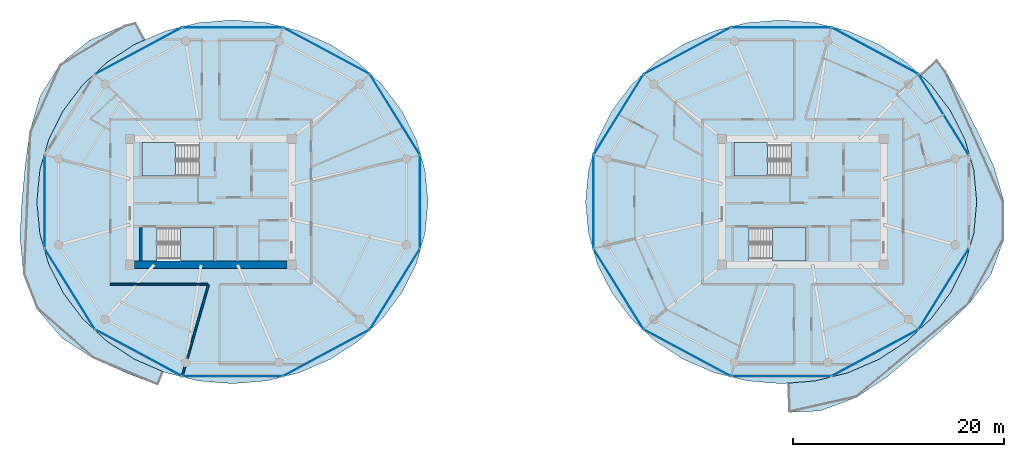
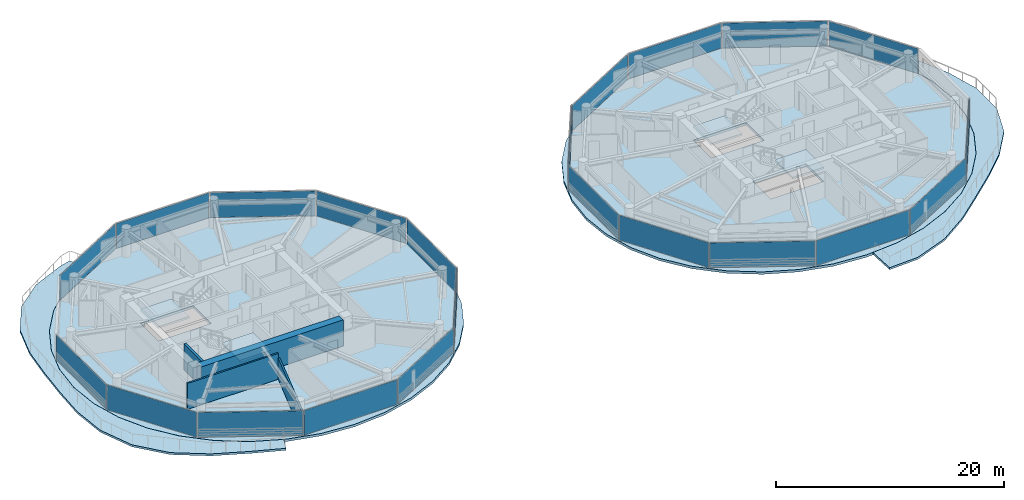
# One storey, part 12 of 22: 22 plates, 8 slabs, 4 walls, 26 elements without a shape of their own.
"""IFC4 building model written with IfcOpenShell, lengths in metres."""

from ifc_helpers import new_model, si_unit, direction, frame, frame_2d, origin, origin_2d, place, context, subcontext, project, spatial, polyline, rectangle, outline, extrude, source, transform, mapped, material, layer, layer_set, type_object, type_shapes, element, aggregate, save


model = new_model("IFC4")

# Units and contexts
model_context = context("Model", 3, precision=1e-05, world=origin(), true_north=direction((0.0, 1.0)))
body_context = subcontext(model_context, "Body", "Model", "MODEL_VIEW")
ifc_project = project(units=[si_unit("LENGTHUNIT", "METRE"), si_unit("AREAUNIT", "SQUARE_METRE"), si_unit("VOLUMEUNIT", "CUBIC_METRE"), si_unit("PLANEANGLEUNIT", "RADIAN"), si_unit("MASSUNIT", "GRAM", prefix="KILO")], contexts=[model_context])

# Site, building, storey
site_placement = place(None, origin())
site = spatial("IfcSite", under=ifc_project, at=site_placement, CompositionType="ELEMENT")
building_placement = place(site_placement, origin())
building = spatial("IfcBuilding", under=site, at=building_placement, Name="Norrkilde Senior Care Towers", CompositionType="ELEMENT")
storey_placement = place(building_placement, frame((0.0, 0.0, 96.25)))
storey = spatial("IfcBuildingStorey", under=building, at=storey_placement, Name="L29", CompositionType="ELEMENT", Elevation=96.25)

# Slabs
ifc_material_1 = material(Name="Concrete C50/60", Category="concrete")
ifc_layer_1 = layer(ifc_material_1, 0.215087890625)
ifc_layer_set_1 = layer_set([ifc_layer_1], Name="Concrete C50/60")
slab_type_1 = type_object("IfcSlabType", Name="Sinusoidal Balcony Ribbon Slab 215", PredefinedType="FLOOR", material=ifc_layer_set_1)
slab_1_placement = place(storey_placement, frame((0.0, 0.0, -0.215087890625)))
element("IfcSlab", 1, at=slab_1_placement, inside=storey, type_object=slab_type_1, Name="L29 Drum W Swirling Senior Balcony 1", PredefinedType="FLOOR", context=body_context, shape_type="SweptSolid", body=[
    extrude(outline(polyline([(-39.115478515625, -14.808837890625), (-42.11328125, -12.853271484375), (-44.431396484375, -10.127685546875), (-45.716552734375, -6.8154296875), (-46.046875, -3.343017578125), (-45.866943359375, 0.0), (-45.572265625, 3.2529296875), (-45.138427734375, 6.589111328125), (-44.163818359375, 9.96142578125), (-42.273193359375, 12.99755859375), (-39.479736328125, 15.27587890625), (-36.166748046875, 16.696533203125), (-35.082763671875, 16.972900390625), (-34.200927734375, 15.334228515625), (-35.202392578125, 14.89990234375), (-37.8447265625, 13.1796875), (-40.125732421875, 11.05908203125), (-41.975830078125, 8.6025390625), (-43.339111328125, 5.884521484375), (-44.173828125, 2.987548828125), (-44.455078125, 0.0), (-44.173828125, -2.987548828125), (-43.339111328125, -5.884521484375), (-41.975830078125, -8.6025390625), (-40.125732421875, -11.05908203125), (-37.8447265625, -13.1796875), (-35.202392578125, -14.89990234375), (-32.47021484375, -16.08447265625), (-32.986572265625, -17.358154296875), (-35.908447265625, -16.215576171875), (-39.115478515625, -14.808837890625)])), origin(), (0.0, 0.0, 1.0), 0.215087890625),
])
slab_2_placement = place(storey_placement, frame((0.0, 0.0, -0.215087890625)))
element("IfcSlab", 2, at=slab_2_placement, inside=storey, type_object=slab_type_1, Name="L29 Drum E Swirling Senior Balcony 1", PredefinedType="FLOOR", context=body_context, shape_type="SweptSolid", body=[
    extrude(outline(polyline([(43.7080078125, -9.67822265625), (41.222412109375, -12.04931640625), (38.6904296875, -14.26416015625), (36.055908203125, -16.490234375), (33.0673828125, -18.497314453125), (29.6279296875, -19.77783203125), (26.6845703125, -19.917236328125), (26.58251953125, -17.153564453125), (29.163330078125, -16.943603515625), (32.279052734375, -16.16748046875), (35.202392578125, -14.89990234375), (37.8447265625, -13.1796875), (40.125732421875, -11.05908203125), (41.975830078125, -8.6025390625), (43.339111328125, -5.884521484375), (44.173828125, -2.987548828125), (44.455078125, 0.0), (44.173828125, 2.987548828125), (43.339111328125, 5.884521484375), (41.975830078125, 8.6025390625), (40.125732421875, 11.05908203125), (39.09326171875, 12.01904296875), (40.6904296875, 13.479248046875), (41.540771484375, 12.336669921875), (43.17529296875, 9.347412109375), (44.66455078125, 6.403564453125), (46.072509765625, 3.34765625), (47.030517578125, 0.0), (47.016357421875, -3.52685546875), (45.814453125, -6.853759765625), (43.7080078125, -9.67822265625)])), origin(), (0.0, 0.0, 1.0), 0.215087890625),
])

# Stair, slab
ifc_material_2 = material(Name="Concrete C45/55", Category="concrete")
stair_type = type_object("IfcStairType", Name="Core Protected Dogleg Stair Typical 3050", PredefinedType="HALF_TURN_STAIR", material=ifc_material_2)
stair_1_placement = place(storey_placement, origin())
stair_1 = element("IfcStair", 3, at=stair_1_placement, inside=storey, type_object=stair_type, Name="L29 Protected Core Stair W1", PredefinedType="HALF_TURN_STAIR")
ifc_layer_2 = layer(ifc_material_2, 0.199951171875)
ifc_layer_set_2 = layer_set([ifc_layer_2], Name="Concrete C45/55")
slab_type_2 = type_object("IfcSlabType", Name="Stair Landing Slab 200", PredefinedType="LANDING", material=ifc_layer_set_2)
slab_3_placement = place(storey_placement, frame((0.0, 0.0, 1.324951171875)))
slab_3 = element("IfcSlab", 4, at=slab_3_placement, type_object=slab_type_2, Name="ST-W1 landing 1", PredefinedType="LANDING", context=body_context, shape_type="SweptSolid", body=[
    extrude(outline(polyline([(-31.340087890625, 5.590087890625), (-34.5, 5.590087890625), (-34.5, 2.449951171875), (-31.340087890625, 2.449951171875), (-31.340087890625, 5.590087890625)])), origin(), (0.0, 0.0, 1.0), 0.199951171875),
])
aggregate(stair_1, [slab_3])

stair_2_placement = place(storey_placement, origin())
stair_2 = element("IfcStair", 5, at=stair_2_placement, inside=storey, type_object=stair_type, Name="L29 Protected Core Stair W2", PredefinedType="HALF_TURN_STAIR")
slab_4_placement = place(storey_placement, frame((0.0, 0.0, 1.324951171875)))
slab_4 = element("IfcSlab", 6, at=slab_4_placement, type_object=slab_type_2, Name="ST-W2 landing 1", PredefinedType="LANDING", context=body_context, shape_type="SweptSolid", body=[
    extrude(outline(polyline([(-30.860107421875, -5.590087890625), (-27.699951171875, -5.590087890625), (-27.699951171875, -2.449951171875), (-30.860107421875, -2.449951171875), (-30.860107421875, -5.590087890625)])), origin(), (0.0, 0.0, 1.0), 0.199951171875),
])
aggregate(stair_2, [slab_4])

stair_3_placement = place(storey_placement, origin())
stair_3 = element("IfcStair", 7, at=stair_3_placement, inside=storey, type_object=stair_type, Name="L29 Protected Core Stair E1", PredefinedType="HALF_TURN_STAIR")
slab_5_placement = place(storey_placement, frame((0.0, 0.0, 1.324951171875)))
slab_5 = element("IfcSlab", 8, at=slab_5_placement, type_object=slab_type_2, Name="ST-E1 landing 1", PredefinedType="LANDING", context=body_context, shape_type="SweptSolid", body=[
    extrude(outline(polyline([(24.659912109375, 5.590087890625), (21.5, 5.590087890625), (21.5, 2.449951171875), (24.659912109375, 2.449951171875), (24.659912109375, 5.590087890625)])), origin(), (0.0, 0.0, 1.0), 0.199951171875),
])
aggregate(stair_3, [slab_5])

stair_4_placement = place(storey_placement, origin())
stair_4 = element("IfcStair", 9, at=stair_4_placement, inside=storey, type_object=stair_type, Name="L29 Protected Core Stair E2", PredefinedType="HALF_TURN_STAIR")
slab_6_placement = place(storey_placement, frame((0.0, 0.0, 1.324951171875)))
slab_6 = element("IfcSlab", 10, at=slab_6_placement, type_object=slab_type_2, Name="ST-E2 landing 1", PredefinedType="LANDING", context=body_context, shape_type="SweptSolid", body=[
    extrude(outline(polyline([(25.139892578125, -5.590087890625), (28.300048828125, -5.590087890625), (28.300048828125, -2.449951171875), (25.139892578125, -2.449951171875), (25.139892578125, -5.590087890625)])), origin(), (0.0, 0.0, 1.0), 0.199951171875),
])
aggregate(stair_4, [slab_6])

# Slabs
ifc_layer_3 = layer(ifc_material_1, 0.260009765625)
ifc_layer_set_3 = layer_set([ifc_layer_3], Name="Concrete C50/60")
slab_type_3 = type_object("IfcSlabType", Name="Tower Care Floor Slab 260", PredefinedType="FLOOR", material=ifc_layer_set_3)
slab_7_placement = place(storey_placement, frame((0.0, 0.0, -0.260009765625)))
element("IfcSlab", 11, at=slab_7_placement, inside=storey, type_object=slab_type_3, Name="L29 Drum W Structural Floor Slab", PredefinedType="FLOOR", context=body_context, shape_type="SweptSolid", body=[
    extrude(outline(polyline([(-8.565673828125, -5.8828125), (-9.928466796875, -8.60009765625), (-11.778076171875, -11.055908203125), (-14.058349609375, -13.176025390625), (-16.699951171875, -14.895751953125), (-19.62255859375, -16.16259765625), (-22.737548828125, -16.938720703125), (-25.949951171875, -17.199951171875), (-29.16259765625, -16.938720703125), (-32.27734375, -16.16259765625), (-35.199951171875, -14.895751953125), (-37.841552734375, -13.176025390625), (-40.121826171875, -11.055908203125), (-41.971435546875, -8.60009765625), (-43.334228515625, -5.8828125), (-44.1689453125, -2.98681640625), (-44.449951171875, 0.0), (-44.1689453125, 2.98681640625), (-43.334228515625, 5.8828125), (-41.971435546875, 8.60009765625), (-40.121826171875, 11.055908203125), (-37.841552734375, 13.176025390625), (-35.199951171875, 14.895751953125), (-32.27734375, 16.16259765625), (-29.16259765625, 16.938720703125), (-25.949951171875, 17.199951171875), (-22.737548828125, 16.938720703125), (-19.62255859375, 16.16259765625), (-16.699951171875, 14.895751953125), (-14.058349609375, 13.176025390625), (-11.778076171875, 11.055908203125), (-9.928466796875, 8.60009765625), (-8.565673828125, 5.8828125), (-7.73095703125, 2.98681640625), (-7.449951171875, 0.0), (-7.73095703125, -2.98681640625), (-8.565673828125, -5.8828125)]), holes=[polyline([(-34.48193359375, 2.468017578125), (-29.117919921875, 2.468017578125), (-29.117919921875, 5.590087890625), (-34.48193359375, 5.590087890625), (-34.48193359375, 2.468017578125)]), polyline([(-27.718017578125, -5.590087890625), (-27.718017578125, -2.468017578125), (-33.08203125, -2.468017578125), (-33.08203125, -5.590087890625), (-27.718017578125, -5.590087890625)])]), origin(), (0.0, 0.0, 1.0), 0.260009765625),
])
slab_8_placement = place(storey_placement, frame((0.0, 0.0, -0.260009765625)))
element("IfcSlab", 12, at=slab_8_placement, inside=storey, type_object=slab_type_3, Name="L29 Drum E Structural Floor Slab", PredefinedType="FLOOR", context=body_context, shape_type="SweptSolid", body=[
    extrude(outline(polyline([(43.334228515625, -5.8828125), (41.971435546875, -8.60009765625), (40.121826171875, -11.055908203125), (37.841552734375, -13.176025390625), (35.199951171875, -14.895751953125), (32.27734375, -16.16259765625), (29.16259765625, -16.938720703125), (25.949951171875, -17.199951171875), (22.737548828125, -16.938720703125), (19.62255859375, -16.16259765625), (16.699951171875, -14.895751953125), (14.058349609375, -13.176025390625), (11.778076171875, -11.055908203125), (9.928466796875, -8.60009765625), (8.565673828125, -5.8828125), (7.73095703125, -2.98681640625), (7.449951171875, 0.0), (7.73095703125, 2.98681640625), (8.565673828125, 5.8828125), (9.928466796875, 8.60009765625), (11.778076171875, 11.055908203125), (14.058349609375, 13.176025390625), (16.699951171875, 14.895751953125), (19.62255859375, 16.16259765625), (22.737548828125, 16.938720703125), (25.949951171875, 17.199951171875), (29.16259765625, 16.938720703125), (32.27734375, 16.16259765625), (35.199951171875, 14.895751953125), (37.841552734375, 13.176025390625), (40.121826171875, 11.055908203125), (41.971435546875, 8.60009765625), (43.334228515625, 5.8828125), (44.1689453125, 2.98681640625), (44.449951171875, 0.0), (44.1689453125, -2.98681640625), (43.334228515625, -5.8828125)]), holes=[polyline([(21.51806640625, 2.468017578125), (26.882080078125, 2.468017578125), (26.882080078125, 5.590087890625), (21.51806640625, 5.590087890625), (21.51806640625, 2.468017578125)]), polyline([(28.281982421875, -5.590087890625), (28.281982421875, -2.468017578125), (22.91796875, -2.468017578125), (22.91796875, -5.590087890625), (28.281982421875, -5.590087890625)])]), origin(), (0.0, 0.0, 1.0), 0.260009765625),
])

# Curtain wall, plate
ifc_material_3 = material(Name="Triple Low-E Insulated Glazing", Category="glass")
ifc_layer_4 = layer(ifc_material_3, 0.195068359375)
ifc_layer_set_4 = layer_set([ifc_layer_4], Name="Triple Low-E Insulated Glazing")
curtain_wall_type = type_object("IfcCurtainWallType", Name="CW3 Zone 2 Assisted Living Curtain Wall", PredefinedType="NOTDEFINED", material=ifc_layer_set_4)
curtain_wall_1_placement = place(storey_placement, origin())
curtain_wall_1 = element("IfcCurtainWall", 13, at=curtain_wall_1_placement, inside=storey, type_object=curtain_wall_type, Name="L29 Drum W Curtain Wall 00", PredefinedType="NOTDEFINED")
ifc_layer_5 = layer(ifc_material_3, 0.035888671875)
ifc_layer_set_5 = layer_set([ifc_layer_5], Name="Triple Low-E Insulated Glazing")
plate_type = type_object("IfcPlateType", Name="Triple Low-E Vision Curtain Panel 36", PredefinedType="CURTAIN_PANEL", material=ifc_layer_set_5)
shared_shape_1 = source(origin(), body_context, "Body", "SweptSolid", [
    extrude(rectangle(XDim=8.88427734375, YDim=0.035888671875, at=origin_2d()), origin(), (0.0, 0.0, 1.0), 2.669921875),
])
plate_1_placement = place(storey_placement, frame((-10.574951171875, 8.2490234375, 0.06005859375), z_axis=(0.0, 0.0, 1.0), x_axis=(0.527733228002, -0.849410171862, 0.0)))
plate_1 = element("IfcPlate", 14, at=plate_1_placement, type_object=plate_type, Name="CW-3 panel 1.1", PredefinedType="CURTAIN_PANEL", context=body_context, shape_type="MappedRepresentation", body=[
    mapped(shared_shape_1, transform((0.0, 0.0, 0.0), x_axis=(1.0, 0.0, 0.0), y_axis=(0.0, 1.0, 0.0), z_axis=(0.0, 0.0, 1.0), scale=1.0)),
])
aggregate(curtain_wall_1, [plate_1])

curtain_wall_2_placement = place(storey_placement, origin())
curtain_wall_2 = element("IfcCurtainWall", 15, at=curtain_wall_2_placement, inside=storey, type_object=curtain_wall_type, Name="L29 Drum W Curtain Wall 06", PredefinedType="NOTDEFINED")
plate_2_placement = place(storey_placement, frame((-41.3251953125, -8.2490234375, 0.06005859375), z_axis=(0.0, 0.0, 1.0), x_axis=(-0.527733228002, 0.849410171862, 0.0)))
plate_2 = element("IfcPlate", 16, at=plate_2_placement, type_object=plate_type, Name="CW-3 panel 1.1", PredefinedType="CURTAIN_PANEL", context=body_context, shape_type="MappedRepresentation", body=[
    mapped(shared_shape_1, transform((0.0, 0.0, 0.0), x_axis=(1.0, 0.0, 0.0), y_axis=(0.0, 1.0, 0.0), z_axis=(0.0, 0.0, 1.0), scale=1.0)),
])
aggregate(curtain_wall_2, [plate_2])

curtain_wall_3_placement = place(storey_placement, origin())
curtain_wall_3 = element("IfcCurtainWall", 17, at=curtain_wall_3_placement, inside=storey, type_object=curtain_wall_type, Name="L29 Drum W Curtain Wall 10", PredefinedType="NOTDEFINED")
plate_3_placement = place(storey_placement, frame((-10.574951171875, -8.2490234375, 0.06005859375), z_axis=(0.0, 0.0, 1.0), x_axis=(-0.527733228002, -0.849410171862, 0.0)))
plate_3 = element("IfcPlate", 18, at=plate_3_placement, type_object=plate_type, Name="CW-3 panel 1.1", PredefinedType="CURTAIN_PANEL", context=body_context, shape_type="MappedRepresentation", body=[
    mapped(shared_shape_1, transform((0.0, 0.0, 0.0), x_axis=(1.0, 0.0, 0.0), y_axis=(0.0, 1.0, 0.0), z_axis=(0.0, 0.0, 1.0), scale=1.0)),
])
aggregate(curtain_wall_3, [plate_3])

curtain_wall_4_placement = place(storey_placement, origin())
curtain_wall_4 = element("IfcCurtainWall", 19, at=curtain_wall_4_placement, inside=storey, type_object=curtain_wall_type, Name="L29 Drum E Curtain Wall 00", PredefinedType="NOTDEFINED")
plate_4_placement = place(storey_placement, frame((41.3251953125, 8.2490234375, 0.06005859375), z_axis=(0.0, 0.0, 1.0), x_axis=(0.527733228002, -0.849410171862, 0.0)))
plate_4 = element("IfcPlate", 20, at=plate_4_placement, type_object=plate_type, Name="CW-3 panel 1.1", PredefinedType="CURTAIN_PANEL", context=body_context, shape_type="MappedRepresentation", body=[
    mapped(shared_shape_1, transform((0.0, 0.0, 0.0), x_axis=(1.0, 0.0, 0.0), y_axis=(0.0, 1.0, 0.0), z_axis=(0.0, 0.0, 1.0), scale=1.0)),
])
aggregate(curtain_wall_4, [plate_4])

curtain_wall_5_placement = place(storey_placement, origin())
curtain_wall_5 = element("IfcCurtainWall", 21, at=curtain_wall_5_placement, inside=storey, type_object=curtain_wall_type, Name="L29 Drum E Curtain Wall 04", PredefinedType="NOTDEFINED")
plate_5_placement = place(storey_placement, frame((10.574951171875, 8.2490234375, 0.06005859375), z_axis=(0.0, 0.0, 1.0), x_axis=(0.527733228002, 0.849410171862, 0.0)))
plate_5 = element("IfcPlate", 22, at=plate_5_placement, type_object=plate_type, Name="CW-3 panel 1.1", PredefinedType="CURTAIN_PANEL", context=body_context, shape_type="MappedRepresentation", body=[
    mapped(shared_shape_1, transform((0.0, 0.0, 0.0), x_axis=(1.0, 0.0, 0.0), y_axis=(0.0, 1.0, 0.0), z_axis=(0.0, 0.0, 1.0), scale=1.0)),
])
aggregate(curtain_wall_5, [plate_5])

curtain_wall_6_placement = place(storey_placement, origin())
curtain_wall_6 = element("IfcCurtainWall", 23, at=curtain_wall_6_placement, inside=storey, type_object=curtain_wall_type, Name="L29 Drum E Curtain Wall 06", PredefinedType="NOTDEFINED")
plate_6_placement = place(storey_placement, frame((10.574951171875, -8.2490234375, 0.06005859375), z_axis=(0.0, 0.0, 1.0), x_axis=(-0.527733228002, 0.849410171862, 0.0)))
plate_6 = element("IfcPlate", 24, at=plate_6_placement, type_object=plate_type, Name="CW-3 panel 1.1", PredefinedType="CURTAIN_PANEL", context=body_context, shape_type="MappedRepresentation", body=[
    mapped(shared_shape_1, transform((0.0, 0.0, 0.0), x_axis=(1.0, 0.0, 0.0), y_axis=(0.0, 1.0, 0.0), z_axis=(0.0, 0.0, 1.0), scale=1.0)),
])
aggregate(curtain_wall_6, [plate_6])

curtain_wall_7_placement = place(storey_placement, origin())
curtain_wall_7 = element("IfcCurtainWall", 25, at=curtain_wall_7_placement, inside=storey, type_object=curtain_wall_type, Name="L29 Drum E Curtain Wall 10", PredefinedType="NOTDEFINED")
plate_7_placement = place(storey_placement, frame((41.3251953125, -8.2490234375, 0.06005859375), z_axis=(0.0, 0.0, 1.0), x_axis=(-0.527733228002, -0.849410171862, 0.0)))
plate_7 = element("IfcPlate", 26, at=plate_7_placement, type_object=plate_type, Name="CW-3 panel 1.1", PredefinedType="CURTAIN_PANEL", context=body_context, shape_type="MappedRepresentation", body=[
    mapped(shared_shape_1, transform((0.0, 0.0, 0.0), x_axis=(1.0, 0.0, 0.0), y_axis=(0.0, 1.0, 0.0), z_axis=(0.0, 0.0, 1.0), scale=1.0)),
])
aggregate(curtain_wall_7, [plate_7])

curtain_wall_8_placement = place(storey_placement, origin())
curtain_wall_8 = element("IfcCurtainWall", 27, at=curtain_wall_8_placement, inside=storey, type_object=curtain_wall_type, Name="L29 Drum W Curtain Wall 01", PredefinedType="NOTDEFINED")
shared_shape_2 = source(origin(), body_context, "Body", "SweptSolid", [
    extrude(rectangle(XDim=9.220458984375, YDim=0.035888671875, at=origin_2d()), origin(), (0.0, 0.0, 1.0), 2.669921875),
])
plate_8_placement = place(storey_placement, frame((-17.0732421875, 14.28759765625, 0.06005859375), z_axis=(0.0, 0.0, 1.0), x_axis=(0.881186184668, -0.472769402511, 0.0)))
plate_8 = element("IfcPlate", 28, at=plate_8_placement, type_object=plate_type, Name="CW-3 panel 1.1", PredefinedType="CURTAIN_PANEL", context=body_context, shape_type="MappedRepresentation", body=[
    mapped(shared_shape_2, transform((0.0, 0.0, 0.0), x_axis=(1.0, 0.0, 0.0), y_axis=(0.0, 1.0, 0.0), z_axis=(0.0, 0.0, 1.0), scale=1.0)),
])
aggregate(curtain_wall_8, [plate_8])

curtain_wall_9_placement = place(storey_placement, origin())
curtain_wall_9 = element("IfcCurtainWall", 29, at=curtain_wall_9_placement, inside=storey, type_object=curtain_wall_type, Name="L29 Drum W Curtain Wall 03", PredefinedType="NOTDEFINED")
plate_9_placement = place(storey_placement, frame((-34.826904296875, 14.28759765625, 0.06005859375), z_axis=(0.0, 0.0, 1.0), x_axis=(0.881186184668, 0.472769402511, 0.0)))
plate_9 = element("IfcPlate", 30, at=plate_9_placement, type_object=plate_type, Name="CW-3 panel 1.1", PredefinedType="CURTAIN_PANEL", context=body_context, shape_type="MappedRepresentation", body=[
    mapped(shared_shape_2, transform((0.0, 0.0, 0.0), x_axis=(1.0, 0.0, 0.0), y_axis=(0.0, 1.0, 0.0), z_axis=(0.0, 0.0, 1.0), scale=1.0)),
])
aggregate(curtain_wall_9, [plate_9])

curtain_wall_10_placement = place(storey_placement, origin())
curtain_wall_10 = element("IfcCurtainWall", 31, at=curtain_wall_10_placement, inside=storey, type_object=curtain_wall_type, Name="L29 Drum W Curtain Wall 07", PredefinedType="NOTDEFINED")
plate_10_placement = place(storey_placement, frame((-34.826904296875, -14.28759765625, 0.06005859375), z_axis=(0.0, 0.0, 1.0), x_axis=(-0.881186184668, 0.472769402511, 0.0)))
plate_10 = element("IfcPlate", 32, at=plate_10_placement, type_object=plate_type, Name="CW-3 panel 1.1", PredefinedType="CURTAIN_PANEL", context=body_context, shape_type="MappedRepresentation", body=[
    mapped(shared_shape_2, transform((0.0, 0.0, 0.0), x_axis=(1.0, 0.0, 0.0), y_axis=(0.0, 1.0, 0.0), z_axis=(0.0, 0.0, 1.0), scale=1.0)),
])
aggregate(curtain_wall_10, [plate_10])

curtain_wall_11_placement = place(storey_placement, origin())
curtain_wall_11 = element("IfcCurtainWall", 33, at=curtain_wall_11_placement, inside=storey, type_object=curtain_wall_type, Name="L29 Drum W Curtain Wall 09", PredefinedType="NOTDEFINED")
plate_11_placement = place(storey_placement, frame((-17.0732421875, -14.28759765625, 0.06005859375), z_axis=(0.0, 0.0, 1.0), x_axis=(-0.881186184668, -0.472769402511, 0.0)))
plate_11 = element("IfcPlate", 34, at=plate_11_placement, type_object=plate_type, Name="CW-3 panel 1.1", PredefinedType="CURTAIN_PANEL", context=body_context, shape_type="MappedRepresentation", body=[
    mapped(shared_shape_2, transform((0.0, 0.0, 0.0), x_axis=(1.0, 0.0, 0.0), y_axis=(0.0, 1.0, 0.0), z_axis=(0.0, 0.0, 1.0), scale=1.0)),
])
aggregate(curtain_wall_11, [plate_11])

curtain_wall_12_placement = place(storey_placement, origin())
curtain_wall_12 = element("IfcCurtainWall", 35, at=curtain_wall_12_placement, inside=storey, type_object=curtain_wall_type, Name="L29 Drum E Curtain Wall 01", PredefinedType="NOTDEFINED")
plate_12_placement = place(storey_placement, frame((34.826904296875, 14.28759765625, 0.06005859375), z_axis=(0.0, 0.0, 1.0), x_axis=(0.881186184668, -0.472769402511, 0.0)))
plate_12 = element("IfcPlate", 36, at=plate_12_placement, type_object=plate_type, Name="CW-3 panel 1.1", PredefinedType="CURTAIN_PANEL", context=body_context, shape_type="MappedRepresentation", body=[
    mapped(shared_shape_2, transform((0.0, 0.0, 0.0), x_axis=(1.0, 0.0, 0.0), y_axis=(0.0, 1.0, 0.0), z_axis=(0.0, 0.0, 1.0), scale=1.0)),
])
aggregate(curtain_wall_12, [plate_12])

curtain_wall_13_placement = place(storey_placement, origin())
curtain_wall_13 = element("IfcCurtainWall", 37, at=curtain_wall_13_placement, inside=storey, type_object=curtain_wall_type, Name="L29 Drum E Curtain Wall 03", PredefinedType="NOTDEFINED")
plate_13_placement = place(storey_placement, frame((17.0732421875, 14.28759765625, 0.06005859375), z_axis=(0.0, 0.0, 1.0), x_axis=(0.881186184668, 0.472769402511, 0.0)))
plate_13 = element("IfcPlate", 38, at=plate_13_placement, type_object=plate_type, Name="CW-3 panel 1.1", PredefinedType="CURTAIN_PANEL", context=body_context, shape_type="MappedRepresentation", body=[
    mapped(shared_shape_2, transform((0.0, 0.0, 0.0), x_axis=(1.0, 0.0, 0.0), y_axis=(0.0, 1.0, 0.0), z_axis=(0.0, 0.0, 1.0), scale=1.0)),
])
aggregate(curtain_wall_13, [plate_13])

curtain_wall_14_placement = place(storey_placement, origin())
curtain_wall_14 = element("IfcCurtainWall", 39, at=curtain_wall_14_placement, inside=storey, type_object=curtain_wall_type, Name="L29 Drum E Curtain Wall 07", PredefinedType="NOTDEFINED")
plate_14_placement = place(storey_placement, frame((17.0732421875, -14.28759765625, 0.06005859375), z_axis=(0.0, 0.0, 1.0), x_axis=(-0.881186184668, 0.472769402511, 0.0)))
plate_14 = element("IfcPlate", 40, at=plate_14_placement, type_object=plate_type, Name="CW-3 panel 1.1", PredefinedType="CURTAIN_PANEL", context=body_context, shape_type="MappedRepresentation", body=[
    mapped(shared_shape_2, transform((0.0, 0.0, 0.0), x_axis=(1.0, 0.0, 0.0), y_axis=(0.0, 1.0, 0.0), z_axis=(0.0, 0.0, 1.0), scale=1.0)),
])
aggregate(curtain_wall_14, [plate_14])

curtain_wall_15_placement = place(storey_placement, origin())
curtain_wall_15 = element("IfcCurtainWall", 41, at=curtain_wall_15_placement, inside=storey, type_object=curtain_wall_type, Name="L29 Drum E Curtain Wall 09", PredefinedType="NOTDEFINED")
plate_15_placement = place(storey_placement, frame((34.826904296875, -14.28759765625, 0.06005859375), z_axis=(0.0, 0.0, 1.0), x_axis=(-0.881186184668, -0.472769402511, 0.0)))
plate_15 = element("IfcPlate", 42, at=plate_15_placement, type_object=plate_type, Name="CW-3 panel 1.1", PredefinedType="CURTAIN_PANEL", context=body_context, shape_type="MappedRepresentation", body=[
    mapped(shared_shape_2, transform((0.0, 0.0, 0.0), x_axis=(1.0, 0.0, 0.0), y_axis=(0.0, 1.0, 0.0), z_axis=(0.0, 0.0, 1.0), scale=1.0)),
])
aggregate(curtain_wall_15, [plate_15])

curtain_wall_16_placement = place(storey_placement, origin())
curtain_wall_16 = element("IfcCurtainWall", 43, at=curtain_wall_16_placement, inside=storey, type_object=curtain_wall_type, Name="L29 Drum W Curtain Wall 02", PredefinedType="NOTDEFINED")
shared_shape_3 = source(origin(), body_context, "Body", "SweptSolid", [
    extrude(rectangle(XDim=9.38427734375, YDim=0.035888671875, at=origin_2d()), origin(), (0.0, 0.0, 1.0), 2.669921875),
])
plate_16_placement = place(storey_placement, frame((-25.949951171875, 16.498046875, 0.06005859375), z_axis=(0.0, 0.0, 1.0), x_axis=(1.0, 0.0, 0.0)))
plate_16 = element("IfcPlate", 44, at=plate_16_placement, type_object=plate_type, Name="CW-3 panel 1.1", PredefinedType="CURTAIN_PANEL", context=body_context, shape_type="MappedRepresentation", body=[
    mapped(shared_shape_3, transform((0.0, 0.0, 0.0), x_axis=(1.0, 0.0, 0.0), y_axis=(0.0, 1.0, 0.0), z_axis=(0.0, 0.0, 1.0), scale=1.0)),
])
aggregate(curtain_wall_16, [plate_16])

curtain_wall_17_placement = place(storey_placement, origin())
curtain_wall_17 = element("IfcCurtainWall", 45, at=curtain_wall_17_placement, inside=storey, type_object=curtain_wall_type, Name="L29 Drum W Curtain Wall 08", PredefinedType="NOTDEFINED")
plate_17_placement = place(storey_placement, frame((-25.949951171875, -16.498046875, 0.06005859375), z_axis=(0.0, 0.0, 1.0), x_axis=(-1.0, 0.0, 0.0)))
plate_17 = element("IfcPlate", 46, at=plate_17_placement, type_object=plate_type, Name="CW-3 panel 1.1", PredefinedType="CURTAIN_PANEL", context=body_context, shape_type="MappedRepresentation", body=[
    mapped(shared_shape_3, transform((0.0, 0.0, 0.0), x_axis=(1.0, 0.0, 0.0), y_axis=(0.0, 1.0, 0.0), z_axis=(0.0, 0.0, 1.0), scale=1.0)),
])
aggregate(curtain_wall_17, [plate_17])

curtain_wall_18_placement = place(storey_placement, origin())
curtain_wall_18 = element("IfcCurtainWall", 47, at=curtain_wall_18_placement, inside=storey, type_object=curtain_wall_type, Name="L29 Drum E Curtain Wall 02", PredefinedType="NOTDEFINED")
plate_18_placement = place(storey_placement, frame((25.949951171875, 16.498046875, 0.06005859375), z_axis=(0.0, 0.0, 1.0), x_axis=(1.0, 0.0, 0.0)))
plate_18 = element("IfcPlate", 48, at=plate_18_placement, type_object=plate_type, Name="CW-3 panel 1.1", PredefinedType="CURTAIN_PANEL", context=body_context, shape_type="MappedRepresentation", body=[
    mapped(shared_shape_3, transform((0.0, 0.0, 0.0), x_axis=(1.0, 0.0, 0.0), y_axis=(0.0, 1.0, 0.0), z_axis=(0.0, 0.0, 1.0), scale=1.0)),
])
aggregate(curtain_wall_18, [plate_18])

curtain_wall_19_placement = place(storey_placement, origin())
curtain_wall_19 = element("IfcCurtainWall", 49, at=curtain_wall_19_placement, inside=storey, type_object=curtain_wall_type, Name="L29 Drum E Curtain Wall 08", PredefinedType="NOTDEFINED")
plate_19_placement = place(storey_placement, frame((25.949951171875, -16.498046875, 0.06005859375), z_axis=(0.0, 0.0, 1.0), x_axis=(-1.0, 0.0, 0.0)))
plate_19 = element("IfcPlate", 50, at=plate_19_placement, type_object=plate_type, Name="CW-3 panel 1.1", PredefinedType="CURTAIN_PANEL", context=body_context, shape_type="MappedRepresentation", body=[
    mapped(shared_shape_3, transform((0.0, 0.0, 0.0), x_axis=(1.0, 0.0, 0.0), y_axis=(0.0, 1.0, 0.0), z_axis=(0.0, 0.0, 1.0), scale=1.0)),
])
aggregate(curtain_wall_19, [plate_19])

curtain_wall_20_placement = place(storey_placement, origin())
curtain_wall_20 = element("IfcCurtainWall", 51, at=curtain_wall_20_placement, inside=storey, type_object=curtain_wall_type, Name="L29 Drum W Curtain Wall 05", PredefinedType="NOTDEFINED")
shared_shape_4 = source(origin(), body_context, "Body", "SweptSolid", [
    extrude(rectangle(XDim=8.711181640625, YDim=0.035888671875, at=origin_2d()), origin(), (0.0, 0.0, 1.0), 2.669921875),
])
type_shapes(plate_type, [shared_shape_1, shared_shape_2, shared_shape_3, shared_shape_4])
plate_20_placement = place(storey_placement, frame((-43.70361328125, 0.0, 0.06005859375), z_axis=(0.0, 0.0, 1.0), x_axis=(0.0, 1.0, 0.0)))
plate_20 = element("IfcPlate", 52, at=plate_20_placement, type_object=plate_type, Name="CW-3 panel 1.1", PredefinedType="CURTAIN_PANEL", context=body_context, shape_type="MappedRepresentation", body=[
    mapped(shared_shape_4, transform((0.0, 0.0, 0.0), x_axis=(1.0, 0.0, 0.0), y_axis=(0.0, 1.0, 0.0), z_axis=(0.0, 0.0, 1.0), scale=1.0)),
])
aggregate(curtain_wall_20, [plate_20])

curtain_wall_21_placement = place(storey_placement, origin())
curtain_wall_21 = element("IfcCurtainWall", 53, at=curtain_wall_21_placement, inside=storey, type_object=curtain_wall_type, Name="L29 Drum W Curtain Wall 11", PredefinedType="NOTDEFINED")
plate_21_placement = place(storey_placement, frame((-8.1962890625, 0.0, 0.06005859375), z_axis=(0.0, 0.0, 1.0), x_axis=(0.0, -1.0, 0.0)))
plate_21 = element("IfcPlate", 54, at=plate_21_placement, type_object=plate_type, Name="CW-3 panel 1.1", PredefinedType="CURTAIN_PANEL", context=body_context, shape_type="MappedRepresentation", body=[
    mapped(shared_shape_4, transform((0.0, 0.0, 0.0), x_axis=(1.0, 0.0, 0.0), y_axis=(0.0, 1.0, 0.0), z_axis=(0.0, 0.0, 1.0), scale=1.0)),
])
aggregate(curtain_wall_21, [plate_21])

curtain_wall_22_placement = place(storey_placement, origin())
curtain_wall_22 = element("IfcCurtainWall", 55, at=curtain_wall_22_placement, inside=storey, type_object=curtain_wall_type, Name="L29 Drum E Curtain Wall 05", PredefinedType="NOTDEFINED")
plate_22_placement = place(storey_placement, frame((8.1962890625, 0.0, 0.06005859375), z_axis=(0.0, 0.0, 1.0), x_axis=(0.0, 1.0, 0.0)))
plate_22 = element("IfcPlate", 56, at=plate_22_placement, type_object=plate_type, Name="CW-3 panel 1.1", PredefinedType="CURTAIN_PANEL", context=body_context, shape_type="MappedRepresentation", body=[
    mapped(shared_shape_4, transform((0.0, 0.0, 0.0), x_axis=(1.0, 0.0, 0.0), y_axis=(0.0, 1.0, 0.0), z_axis=(0.0, 0.0, 1.0), scale=1.0)),
])
aggregate(curtain_wall_22, [plate_22])

# Walls
ifc_material_4 = material(Name="Concrete C60/75", Category="concrete")
ifc_layer_6 = layer(ifc_material_4, 0.719970703125)
ifc_layer_set_6 = layer_set([ifc_layer_6], Name="Concrete C60/75")
wall_type_1 = type_object("IfcWallType", Name="Core Shear Wall Z2 720", PredefinedType="SHEAR", material=ifc_layer_set_6)
shared_shape_5 = source(origin(), body_context, "Body", "SweptSolid", [
    extrude(rectangle(XDim=14.39990234375, YDim=0.719970703125, at=frame_2d((7.199951171875, 0.0))), origin(), (0.0, 0.0, 1.0), 2.7900390625),
])
type_shapes(wall_type_1, [shared_shape_5])
wall_1_placement = place(storey_placement, frame((-20.800048828125, -5.949951171875, 0.0), z_axis=(0.0, 0.0, 1.0), x_axis=(-1.0, 0.0, 0.0)))
element("IfcWall", 57, at=wall_1_placement, inside=storey, type_object=wall_type_1, Name="L29 Core W South Shear Wall", PredefinedType="SHEAR", context=body_context, shape_type="MappedRepresentation", body=[
    mapped(shared_shape_5, transform((0.0, 0.0, 0.0), x_axis=(1.0, 0.0, 0.0), y_axis=(0.0, 1.0, 0.0), z_axis=(0.0, 0.0, 1.0), scale=1.0)),
])
ifc_layer_7 = layer(ifc_material_2, 0.239990234375)
ifc_layer_set_7 = layer_set([ifc_layer_7], Name="Concrete C45/55")
wall_type_2 = type_object("IfcWallType", Name="Shaft and Stair Enclosure Wall 240", PredefinedType="PARTITIONING", material=ifc_layer_set_7)
shared_shape_6 = source(origin(), body_context, "Body", "SweptSolid", [
    extrude(rectangle(XDim=3.14013671875, YDim=0.239990234375, at=frame_2d((1.570068359375, 0.0))), origin(), (0.0, 0.0, 1.0), 2.7900390625),
])
type_shapes(wall_type_2, [shared_shape_6])
wall_2_placement = place(storey_placement, frame((-34.6201171875, -5.590087890625, 0.0), z_axis=(0.0, 0.0, 1.0), x_axis=(0.0, 1.0, 0.0)))
element("IfcWall", 58, at=wall_2_placement, inside=storey, type_object=wall_type_2, Name="WL-INT-L29-W-ST2W", PredefinedType="PARTITIONING", context=body_context, shape_type="MappedRepresentation", body=[
    mapped(shared_shape_6, transform((0.0, 0.0, 0.0), x_axis=(1.0, 0.0, 0.0), y_axis=(0.0, 1.0, 0.0), z_axis=(0.0, 0.0, 1.0), scale=1.0)),
])
ifc_material_5 = material(Name="Gypsum Acoustic Board")
ifc_layer_8 = layer(ifc_material_5, 0.1650390625)
ifc_layer_set_8 = layer_set([ifc_layer_8], Name="Gypsum Acoustic Board")
wall_type_3 = type_object("IfcWallType", Name="Corridor Rated Partition 165", PredefinedType="PARTITIONING", material=ifc_layer_set_8)
shared_shape_7 = source(origin(), body_context, "Body", "SweptSolid", [
    extrude(rectangle(XDim=9.234130859375, YDim=0.1650390625, at=frame_2d((4.6171875, 0.0))), origin(), (0.0, 0.0, 1.0), 2.77490234375),
])
wall_3_placement = place(storey_placement, frame((-28.265869140625, -7.800048828125, 0.0), z_axis=(0.0, 0.0, 1.0), x_axis=(-1.0, 0.0, 0.0)))
element("IfcWall", 59, at=wall_3_placement, inside=storey, type_object=wall_type_3, Name="WL-INT-L29-W-CRW-S-1", PredefinedType="PARTITIONING", context=body_context, shape_type="MappedRepresentation", body=[
    mapped(shared_shape_7, transform((0.0, 0.0, 0.0), x_axis=(1.0, 0.0, 0.0), y_axis=(0.0, 1.0, 0.0), z_axis=(0.0, 0.0, 1.0), scale=1.0)),
])
shared_shape_8 = source(origin(), body_context, "Body", "SweptSolid", [
    extrude(rectangle(XDim=8.9892578125, YDim=0.1650390625, at=frame_2d((4.49462890625, 0.0))), origin(), (0.0, 0.0, 1.0), 2.27490234375),
])
type_shapes(wall_type_3, [shared_shape_7, shared_shape_8])
wall_4_placement = place(storey_placement, frame((-28.221923828125, -7.8798828125, 0.0), z_axis=(0.0, 0.0, 1.0), x_axis=(-0.27702323008, -0.960863221274, 0.0)))
element("IfcWall", 60, at=wall_4_placement, inside=storey, type_object=wall_type_3, Name="WL-INT-L29-W-DEM-08-0", PredefinedType="PARTITIONING", context=body_context, shape_type="MappedRepresentation", body=[
    mapped(shared_shape_8, transform((0.0, 0.0, 0.0), x_axis=(1.0, 0.0, 0.0), y_axis=(0.0, 1.0, 0.0), z_axis=(0.0, 0.0, 1.0), scale=1.0)),
])

save(model, "model.ifc")
